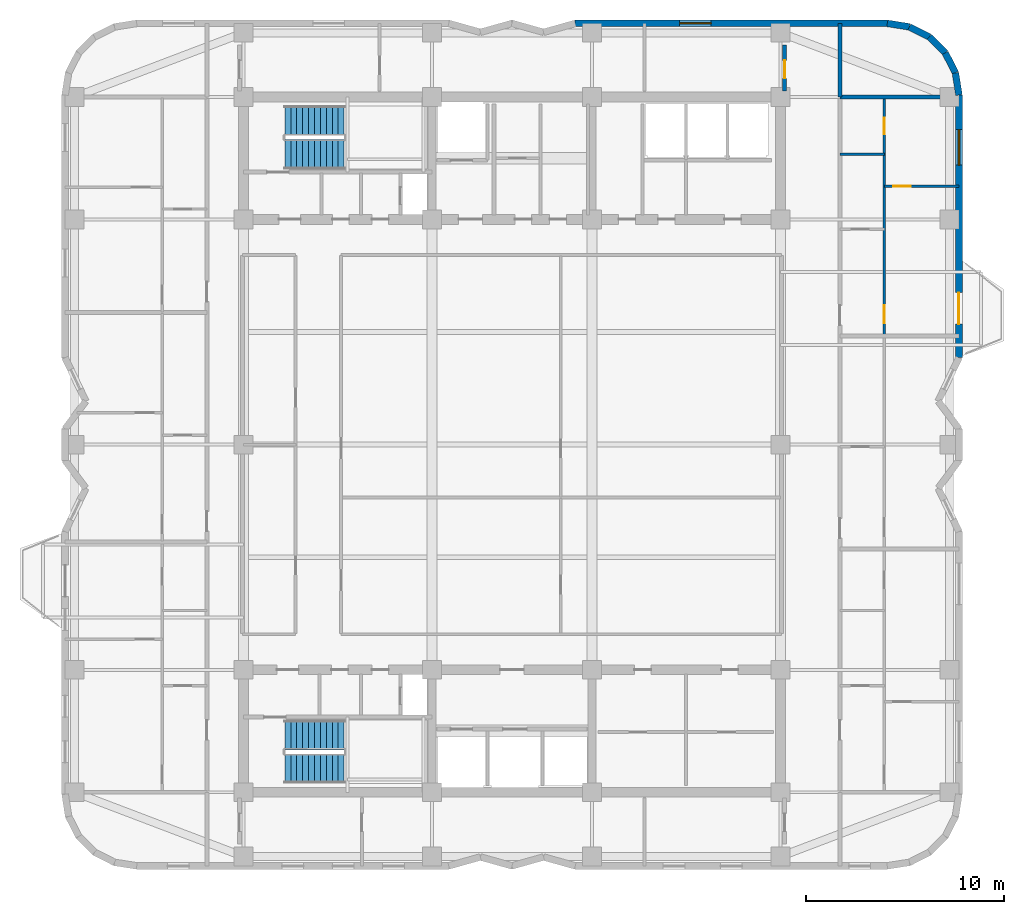
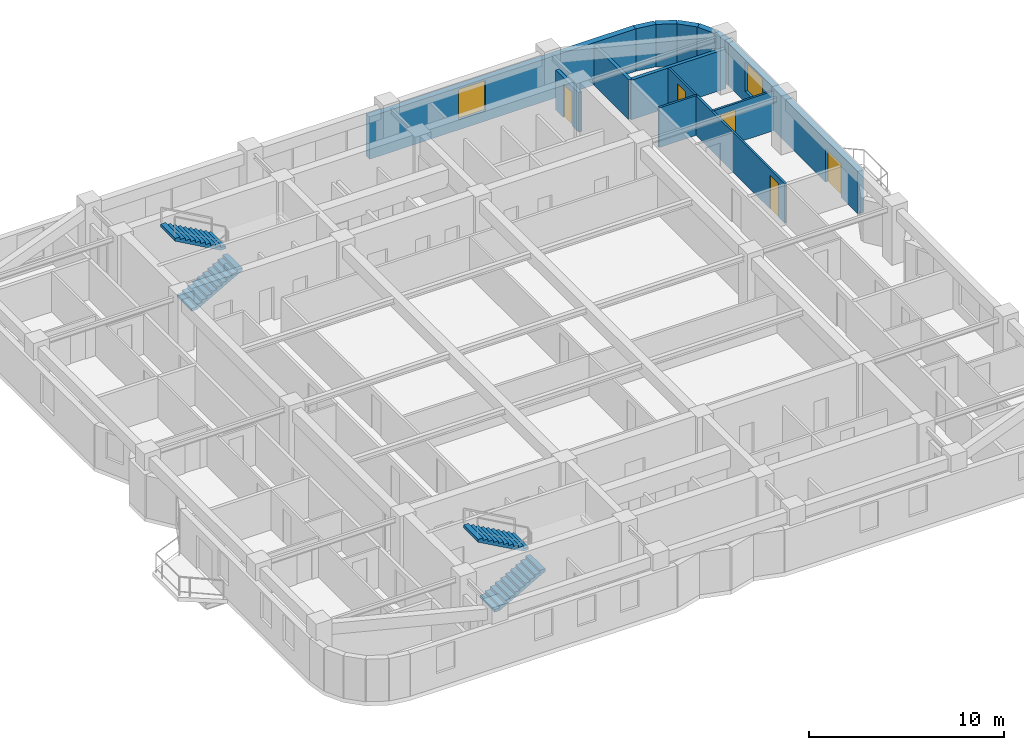
# One storey, part 7 of 9: 13 walls, 5 doors, 4 stair flights, 2 windows, 7 openings, 2 elements without a shape of their own.
"""IFC4 building model written with IfcOpenShell, lengths in metres."""

from ifc_helpers import new_model, si_unit, direction, frame, frame_2d, origin, place, context, subcontext, project, spatial, polyline, rectangle, outline, extrude, material, layer, layer_set, type_object, element, fill, aggregate, save


model = new_model("IFC4")

# Units and contexts
model_context = context("Model", 3, precision=1e-05, world=origin(), true_north=direction((0.0, 1.0)))
body_context = subcontext(model_context, "Body", "Model", "MODEL_VIEW")
ifc_project = project(units=[si_unit("LENGTHUNIT", "METRE"), si_unit("AREAUNIT", "SQUARE_METRE"), si_unit("VOLUMEUNIT", "CUBIC_METRE"), si_unit("PLANEANGLEUNIT", "RADIAN"), si_unit("MASSUNIT", "GRAM", prefix="KILO")], contexts=[model_context])

# Site, building, storey
site_placement = place(None, origin())
site = spatial("IfcSite", under=ifc_project, at=site_placement, CompositionType="ELEMENT")
building_placement = place(site_placement, origin())
building = spatial("IfcBuilding", under=site, at=building_placement, Name="Svetorya Sky Lyceum", CompositionType="ELEMENT")
storey_placement = place(building_placement, frame((0.0, 0.0, 192.199951171875)))
storey = spatial("IfcBuildingStorey", under=building, at=storey_placement, Name="L48", CompositionType="ELEMENT", Elevation=192.199951171875)

# Wall, openings, door, window
ifc_material_1 = material(Name="Putilovo limestone rainscreen on autoclaved cellular masonry", Category="masonry")
ifc_layer_1 = layer(ifc_material_1, 0.340087890625)
ifc_layer_set_1 = layer_set([ifc_layer_1], Name="Putilovo limestone rainscreen on autoclaved cellular masonry")
wall_type_1 = type_object("IfcWallType", Name="WL-EXT-340", PredefinedType="SOLIDWALL", material=ifc_layer_set_1)
wall_1_placement = place(storey_placement, frame((61.830078125, 32.60009765625, 0.0), z_axis=(0.0, 0.0, 1.0), x_axis=(0.0, 1.0, 0.0)))
wall_1 = element("IfcWall", 1, at=wall_1_placement, inside=storey, type_object=wall_type_1, Name="L48 Limestone Exterior Wall 23M", PredefinedType="SOLIDWALL", context=body_context, shape_type="SweptSolid", body=[
    extrude(rectangle(XDim=13.2998046875, YDim=0.340087890625, at=frame_2d((6.64990234375, 0.0))), origin(), (0.0, 0.0, 1.0), 2.66015625),
])
opening_1_placement = place(wall_1_placement, frame((1.699951171875, 0.0, 0.0)))
opening_1 = element("IfcOpeningElement", 2, at=opening_1_placement, cuts=wall_1, Name="Opening D-BL1", PredefinedType="OPENING", context=body_context, shape_type="SweptSolid", body=[
    extrude(rectangle(XDim=1.60009765625, YDim=2.10009765625, at=frame_2d((0.800048828125, 1.050048828125))), frame((0.0, 0.179931640625, 0.0), z_axis=(0.0, -1.0, 0.0), x_axis=(1.0, 0.0, 0.0)), (0.0, 0.0, 1.0), 0.360107421875),
])
opening_2_placement = place(wall_1_placement, frame((9.75, 0.0, 0.68994140625)))
opening_2 = element("IfcOpeningElement", 3, at=opening_2_placement, cuts=wall_1, Name="Opening W-R1", PredefinedType="OPENING", context=body_context, shape_type="SweptSolid", body=[
    extrude(rectangle(XDim=1.800048828125, YDim=1.85009765625, at=frame_2d((0.89990234375, 0.925048828125))), frame((0.0, 0.179931640625, 0.0), z_axis=(0.0, -1.0, 0.0), x_axis=(1.0, 0.0, 0.0)), (0.0, 0.0, 1.0), 0.360107421875),
])
ifc_material_2 = material(Name="Insulated glazed aluminium balcony door", Category="aluminium")
door_type_1 = type_object("IfcDoorType", Name="DR-BAL-1600", OperationType="DOUBLE_DOOR_SINGLE_SWING", PredefinedType="DOOR", material=ifc_material_2)
door_1_placement = place(opening_1_placement, origin())
door_1 = element("IfcDoor", 4, at=door_1_placement, inside=storey, type_object=door_type_1, Name="L48 Balcony BAL-E1 Door", OperationType="DOUBLE_DOOR_SINGLE_SWING", OverallHeight=2.10009765625, OverallWidth=1.60009765625, PredefinedType="DOOR", context=body_context, shape_type="SweptSolid", body=[
    extrude(rectangle(XDim=1.60009765625, YDim=2.10009765625, at=frame_2d((0.800048828125, 1.050048828125))), frame((0.0, 0.02490234375, 0.0), z_axis=(0.0, -1.0, 0.0), x_axis=(1.0, 0.0, 0.0)), (0.0, 0.0, 1.0), 0.050048828125),
])
fill(opening_1, door_1)
ifc_material_3 = material(Name="Thermally broken aluminium frame with triple low-E glazing", Category="aluminium")
window_type_1 = type_object("IfcWindowType", Name="WN-RES-180", PartitioningType="DOUBLE_PANEL_VERTICAL", PredefinedType="WINDOW", material=ifc_material_3)
window_1_placement = place(opening_2_placement, origin())
window_1 = element("IfcWindow", 5, at=window_1_placement, inside=storey, type_object=window_type_1, Name="L48 Facade Window W-R1.23M.1", OverallHeight=1.85009765625, OverallWidth=1.800048828125, PartitioningType="SINGLE_PANEL", PredefinedType="WINDOW", context=body_context, shape_type="SweptSolid", body=[
    extrude(rectangle(XDim=1.800048828125, YDim=1.85009765625, at=frame_2d((0.89990234375, 0.925048828125))), frame((0.0, 0.030029296875, 0.0), z_axis=(0.0, -1.0, 0.0), x_axis=(1.0, 0.0, 0.0)), (0.0, 0.0, 1.0), 0.06005859375),
])
fill(opening_2, window_1)

# Walls
for number, where, z_axis, x_axis, name in (
    (6, (61.830078125, 45.89990234375, 0.0), (0.0, 0.0, 1.0), (-0.156481329164, 0.987680916907, 0.0), "L48 Limestone Exterior Wall 24M"),
    (7, (61.65234375, 47.021728515625, 0.0), (0.0, 0.0, 1.0), (-0.453993402883, 0.891005044957, 0.0), "L48 Limestone Exterior Wall 25M"),
):
    element("IfcWall", number, at=place(storey_placement, frame(where, z_axis=z_axis, x_axis=x_axis)), inside=storey, type_object=wall_type_1, Name=name, PredefinedType="SOLIDWALL", context=body_context, shape_type="SweptSolid", body=[
        extrude(rectangle(XDim=1.1357421875, YDim=0.340087890625, at=frame_2d((0.56787109375, 0.0))), origin(), (0.0, 0.0, 1.0), 2.66015625),
    ])
wall_2_placement = place(storey_placement, frame((61.13671875, 48.03369140625, 0.0), z_axis=(0.0, 0.0, 1.0), x_axis=(-0.707106781187, 0.707106781187, 0.0)))
element("IfcWall", 8, at=wall_2_placement, inside=storey, type_object=wall_type_1, Name="L48 Limestone Exterior Wall 26M", PredefinedType="SOLIDWALL", context=body_context, shape_type="SweptSolid", body=[
    extrude(rectangle(XDim=1.135498046875, YDim=0.340087890625, at=frame_2d((0.56787109375, 0.0))), origin(), (0.0, 0.0, 1.0), 2.66015625),
])
for number, where, z_axis, x_axis, name in (
    (9, (60.333740234375, 48.836669921875, 0.0), (0.0, 0.0, 1.0), (-0.891005044957, 0.453993402883, 0.0), "L48 Limestone Exterior Wall 27M"),
    (10, (59.32177734375, 49.352294921875, 0.0), (0.0, 0.0, 1.0), (-0.987680916907, 0.156481329164, 0.0), "L48 Limestone Exterior Wall 28M"),
):
    element("IfcWall", number, at=place(storey_placement, frame(where, z_axis=z_axis, x_axis=x_axis)), inside=storey, type_object=wall_type_1, Name=name, PredefinedType="SOLIDWALL", context=body_context, shape_type="SweptSolid", body=[
        extrude(rectangle(XDim=1.1357421875, YDim=0.340087890625, at=frame_2d((0.56787109375, 0.0))), origin(), (0.0, 0.0, 1.0), 2.66015625),
    ])

# Wall, opening, window
wall_3_placement = place(storey_placement, frame((58.199951171875, 49.530029296875, 0.0), z_axis=(0.0, 0.0, 1.0), x_axis=(-1.0, 0.0, 0.0)))
wall_3 = element("IfcWall", 11, at=wall_3_placement, inside=storey, type_object=wall_type_1, Name="L48 Limestone Exterior Wall 29M", PredefinedType="SOLIDWALL", context=body_context, shape_type="SweptSolid", body=[
    extrude(rectangle(XDim=15.800048828125, YDim=0.340087890625, at=frame_2d((7.89990234375, 0.0))), origin(), (0.0, 0.0, 1.0), 2.66015625),
])
opening_3_placement = place(wall_3_placement, frame((8.91259765625, 0.0, 0.639892578125)))
opening_3 = element("IfcOpeningElement", 12, at=opening_3_placement, cuts=wall_3, Name="Opening W-R4", PredefinedType="OPENING", context=body_context, shape_type="SweptSolid", body=[
    extrude(rectangle(XDim=1.60009765625, YDim=1.89990234375, at=frame_2d((0.800048828125, 0.949951171875))), frame((0.0, 0.179931640625, 0.0), z_axis=(0.0, -1.0, 0.0), x_axis=(1.0, 0.0, 0.0)), (0.0, 0.0, 1.0), 0.360107421875),
])
window_type_2 = type_object("IfcWindowType", Name="WN-RES-160", PartitioningType="DOUBLE_PANEL_VERTICAL", PredefinedType="WINDOW", material=ifc_material_3)
window_2_placement = place(opening_3_placement, origin())
window_2 = element("IfcWindow", 13, at=window_2_placement, inside=storey, type_object=window_type_2, Name="L48 Facade Window W-R4.29M.1", OverallHeight=1.89990234375, OverallWidth=1.60009765625, PartitioningType="SINGLE_PANEL", PredefinedType="WINDOW", context=body_context, shape_type="SweptSolid", body=[
    extrude(rectangle(XDim=1.60009765625, YDim=1.89990234375, at=frame_2d((0.800048828125, 0.949951171875))), frame((0.0, 0.030029296875, 0.0), z_axis=(0.0, -1.0, 0.0), x_axis=(1.0, 0.0, 0.0)), (0.0, 0.0, 1.0), 0.06005859375),
])
fill(opening_3, window_2)

# Wall
ifc_material_4 = material(Name="Twin-stud galvanized framing with double fireboard", Category="gypsum")
ifc_layer_2 = layer(ifc_material_4, 0.1201171875)
ifc_layer_set_2 = layer_set([ifc_layer_2], Name="Twin-stud galvanized framing with double fireboard")
wall_type_2 = type_object("IfcWallType", Name="WL-PART-120", PredefinedType="PARTITIONING", material=ifc_layer_set_2)
wall_4_placement = place(storey_placement, frame((55.800048828125, 42.89990234375, 0.0), z_axis=(0.0, 0.0, 1.0), x_axis=(1.0, 0.0, 0.0)))
element("IfcWall", 14, at=wall_4_placement, inside=storey, type_object=wall_type_2, Name="L48 Interior Partition E3-WH2", PredefinedType="PARTITIONING", context=body_context, shape_type="SweptSolid", body=[
    extrude(rectangle(XDim=2.25, YDim=0.1201171875, at=frame_2d((1.125, 0.0))), origin(), (0.0, 0.0, 1.0), 2.489990234375),
])

# Wall, opening, door
wall_5_placement = place(storey_placement, frame((58.050048828125, 41.280029296875, 0.0), z_axis=(0.0, 0.0, 1.0), x_axis=(1.0, 0.0, 0.0)))
wall_5 = element("IfcWall", 15, at=wall_5_placement, inside=storey, type_object=wall_type_2, Name="L48 Interior Partition E3-WL1", PredefinedType="PARTITIONING", context=body_context, shape_type="SweptSolid", body=[
    extrude(rectangle(XDim=3.780029296875, YDim=0.1201171875, at=frame_2d((1.89013671875, 0.0))), origin(), (0.0, 0.0, 1.0), 2.489990234375),
])
opening_4_placement = place(wall_5_placement, frame((0.449951171875, 0.0, 0.0)))
opening_4 = element("IfcOpeningElement", 16, at=opening_4_placement, cuts=wall_5, Name="Opening D-RM1", PredefinedType="OPENING", context=body_context, shape_type="SweptSolid", body=[
    extrude(rectangle(XDim=0.89990234375, YDim=2.10009765625, at=frame_2d((0.449951171875, 1.050048828125))), frame((0.0, 0.070068359375, 0.0), z_axis=(0.0, -1.0, 0.0), x_axis=(1.0, 0.0, 0.0)), (0.0, 0.0, 1.0), 0.14013671875),
])
ifc_material_5 = material(Name="Lacquered birch veneer internal door")
door_type_2 = type_object("IfcDoorType", Name="DR-INT-900", OperationType="SINGLE_SWING_LEFT", PredefinedType="DOOR", material=ifc_material_5)
door_2_placement = place(opening_4_placement, origin())
door_2 = element("IfcDoor", 17, at=door_2_placement, inside=storey, type_object=door_type_2, Name="Apartment E3 Bedroom 1 Door", OperationType="SINGLE_SWING_RIGHT", OverallHeight=2.10009765625, OverallWidth=0.89990234375, PredefinedType="DOOR", context=body_context, shape_type="SweptSolid", body=[
    extrude(rectangle(XDim=0.89990234375, YDim=2.10009765625, at=frame_2d((0.449951171875, 1.050048828125))), frame((0.0, 0.02490234375, 0.0), z_axis=(0.0, -1.0, 0.0), x_axis=(1.0, 0.0, 0.0)), (0.0, 0.0, 1.0), 0.050048828125),
])
fill(opening_4, door_2)

# Wall, openings, doors
wall_6_placement = place(storey_placement, frame((58.050048828125, 33.739990234375, 0.0), z_axis=(0.0, 0.0, 1.0), x_axis=(0.0, 1.0, 0.0)))
wall_6 = element("IfcWall", 18, at=wall_6_placement, inside=storey, type_object=wall_type_2, Name="L48 Interior Partition E3-WV", PredefinedType="PARTITIONING", context=body_context, shape_type="SweptSolid", body=[
    extrude(rectangle(XDim=12.02001953125, YDim=0.1201171875, at=frame_2d((6.010009765625, 0.0))), origin(), (0.0, 0.0, 1.0), 2.489990234375),
])
opening_5_placement = place(wall_6_placement, frame((0.610107421875, 0.0, 0.0)))
opening_5 = element("IfcOpeningElement", 19, at=opening_5_placement, cuts=wall_6, Name="Opening D-RM1", PredefinedType="OPENING", context=body_context, shape_type="SweptSolid", body=[
    extrude(rectangle(XDim=0.89990234375, YDim=2.10009765625, at=frame_2d((0.449951171875, 1.050048828125))), frame((0.0, 0.070068359375, 0.0), z_axis=(0.0, -1.0, 0.0), x_axis=(1.0, 0.0, 0.0)), (0.0, 0.0, 1.0), 0.14013671875),
])
opening_6_placement = place(wall_6_placement, frame((10.18505859375, 0.0, 0.0)))
opening_6 = element("IfcOpeningElement", 20, at=opening_6_placement, cuts=wall_6, Name="Opening D-BT2", PredefinedType="OPENING", context=body_context, shape_type="SweptSolid", body=[
    extrude(rectangle(XDim=0.820068359375, YDim=2.080078125, at=frame_2d((0.41015625, 1.0400390625))), frame((0.0, 0.070068359375, 0.0), z_axis=(0.0, -1.0, 0.0), x_axis=(1.0, 0.0, 0.0)), (0.0, 0.0, 1.0), 0.14013671875),
])
door_3_placement = place(opening_5_placement, origin())
door_3 = element("IfcDoor", 21, at=door_3_placement, inside=storey, type_object=door_type_2, Name="Apartment E3 Living Door", OperationType="SINGLE_SWING_LEFT", OverallHeight=2.10009765625, OverallWidth=0.89990234375, PredefinedType="DOOR", context=body_context, shape_type="SweptSolid", body=[
    extrude(rectangle(XDim=0.89990234375, YDim=2.10009765625, at=frame_2d((0.449951171875, 1.050048828125))), frame((0.0, 0.02490234375, 0.0), z_axis=(0.0, -1.0, 0.0), x_axis=(1.0, 0.0, 0.0)), (0.0, 0.0, 1.0), 0.050048828125),
])
fill(opening_5, door_3)
ifc_material_6 = material(Name="Compact moisture-resistant laminate closet door")
door_type_3 = type_object("IfcDoorType", Name="DR-WET-820", OperationType="SINGLE_SWING_LEFT", PredefinedType="DOOR", material=ifc_material_6)
door_4_placement = place(opening_6_placement, origin())
door_4 = element("IfcDoor", 22, at=door_4_placement, inside=storey, type_object=door_type_3, Name="Apartment E3 Study Door", OperationType="SINGLE_SWING_RIGHT", OverallHeight=2.080078125, OverallWidth=0.820068359375, PredefinedType="DOOR", context=body_context, shape_type="SweptSolid", body=[
    extrude(rectangle(XDim=0.820068359375, YDim=2.080078125, at=frame_2d((0.41015625, 1.0400390625))), frame((0.0, 0.02490234375, 0.0), z_axis=(0.0, -1.0, 0.0), x_axis=(1.0, 0.0, 0.0)), (0.0, 0.0, 1.0), 0.050048828125),
])
fill(opening_6, door_4)

# Walls
ifc_material_7 = material(Name="Autoclaved cellular masonry blockwork with gypsum plaster", Category="masonry")
ifc_layer_3 = layer(ifc_material_7, 0.199951171875)
ifc_layer_set_3 = layer_set([ifc_layer_3], Name="Autoclaved cellular masonry blockwork with gypsum plaster")
wall_type_3 = type_object("IfcWallType", Name="WL-PART-200", PredefinedType="PARTITIONING", material=ifc_layer_set_3)
wall_7_placement = place(storey_placement, frame((55.800048828125, 45.800048828125, 0.0), z_axis=(0.0, 0.0, 1.0), x_axis=(1.0, 0.0, 0.0)))
element("IfcWall", 23, at=wall_7_placement, inside=storey, type_object=wall_type_3, Name="L48 Interior Partition E-CAP-N", PredefinedType="PARTITIONING", context=body_context, shape_type="SweptSolid", body=[
    extrude(rectangle(XDim=5.60986328125, YDim=0.199951171875, at=frame_2d((2.804931640625, 0.0))), origin(), (0.0, 0.0, 1.0), 2.489990234375),
])
wall_8_placement = place(storey_placement, frame((55.800048828125, 45.800048828125, 0.0), z_axis=(0.0, 0.0, 1.0), x_axis=(0.0, 1.0, 0.0)))
element("IfcWall", 24, at=wall_8_placement, inside=storey, type_object=wall_type_3, Name="L48 Interior Partition EC-NE-END", PredefinedType="PARTITIONING", context=body_context, shape_type="SweptSolid", body=[
    extrude(rectangle(XDim=3.72998046875, YDim=0.199951171875, at=frame_2d((1.864990234375, 0.0))), origin(), (0.0, 0.0, 1.0), 2.489990234375),
])

# Wall, opening, door
wall_9_placement = place(storey_placement, frame((53.0, 46.10009765625, 0.0), z_axis=(0.0, 0.0, 1.0), x_axis=(0.0, 1.0, 0.0)))
wall_9 = element("IfcWall", 25, at=wall_9_placement, inside=storey, type_object=wall_type_3, Name="L48 Interior Partition N-EE", PredefinedType="PARTITIONING", context=body_context, shape_type="SweptSolid", body=[
    extrude(rectangle(XDim=2.329833984375, YDim=0.199951171875, at=frame_2d((1.1650390625, 0.0))), origin(), (0.0, 0.0, 1.0), 2.489990234375),
])
opening_7_placement = place(wall_9_placement, frame((0.64990234375, 0.0, 0.0)))
opening_7 = element("IfcOpeningElement", 26, at=opening_7_placement, cuts=wall_9, Name="Opening D-RM1", PredefinedType="OPENING", context=body_context, shape_type="SweptSolid", body=[
    extrude(rectangle(XDim=0.89990234375, YDim=2.10009765625, at=frame_2d((0.449951171875, 1.050048828125))), frame((0.0, 0.10986328125, 0.0), z_axis=(0.0, -1.0, 0.0), x_axis=(1.0, 0.0, 0.0)), (0.0, 0.0, 1.0), 0.219970703125),
])
door_5_placement = place(opening_7_placement, origin())
door_5 = element("IfcDoor", 27, at=door_5_placement, inside=storey, type_object=door_type_2, Name="L48 North Meeting Door", OperationType="SINGLE_SWING_LEFT", OverallHeight=2.10009765625, OverallWidth=0.89990234375, PredefinedType="DOOR", context=body_context, shape_type="SweptSolid", body=[
    extrude(rectangle(XDim=0.89990234375, YDim=2.10009765625, at=frame_2d((0.449951171875, 1.050048828125))), frame((0.0, 0.02490234375, 0.0), z_axis=(0.0, -1.0, 0.0), x_axis=(1.0, 0.0, 0.0)), (0.0, 0.0, 1.0), 0.050048828125),
])
fill(opening_7, door_5)

# Stair, stair flights
ifc_material_8 = material(Name="Concrete C40/50", Category="concrete")
stair_type_1 = type_object("IfcStairType", Name="STR-ST-N", PredefinedType="HALF_TURN_STAIR", material=ifc_material_8)
stair_1_placement = place(storey_placement, origin())
stair_1 = element("IfcStair", 28, at=stair_1_placement, inside=storey, type_object=stair_type_1, Name="L48 North Core Smoke-Free Exit Stair N3", PredefinedType="HALF_TURN_STAIR")
stair_flight_type_1 = type_object("IfcStairFlightType", Name="SFL-ST-N", PredefinedType="STRAIGHT", material=ifc_material_8)
stair_flight_1_placement = place(storey_placement, frame((27.699951171875, 42.89990234375, 0.0), z_axis=(0.0, 0.0, 1.0), x_axis=(1.0, 0.0, 0.0)))
stair_flight_1 = element("IfcStairFlight", 29, at=stair_flight_1_placement, type_object=stair_flight_type_1, Name="ST-N flight 1", NumberOfRisers=11, NumberOfTreads=10, PredefinedType="STRAIGHT", RiserHeight=0.168181818, TreadLength=0.3, context=body_context, shape_type="SweptSolid", body=[
    extrude(outline(polyline([(0.0, 0.0), (0.0, 0.168212890625), (0.300048828125, 0.168212890625), (0.300048828125, 0.33642578125), (0.60009765625, 0.33642578125), (0.60009765625, 0.504638671875), (0.89990234375, 0.504638671875), (0.89990234375, 0.672607421875), (1.199951171875, 0.672607421875), (1.199951171875, 0.8408203125), (1.5, 0.8408203125), (1.5, 1.009033203125), (1.800048828125, 1.009033203125), (1.800048828125, 1.17724609375), (2.10009765625, 1.17724609375), (2.10009765625, 1.345458984375), (2.39990234375, 1.345458984375), (2.39990234375, 1.513671875), (2.699951171875, 1.513671875), (2.699951171875, 1.681884765625), (3.0, 1.681884765625), (3.0, 1.85009765625), (3.0, 1.510009765625), (0.306640625, 0.0), (0.0, 0.0)])), frame((0.0, 0.75, 0.0), z_axis=(0.0, -1.0, 0.0), x_axis=(1.0, 0.0, 0.0)), (0.0, 0.0, 1.0), 1.5),
])
stair_flight_2_placement = place(storey_placement, frame((30.699951171875, 44.60009765625, 1.85009765625), z_axis=(0.0, 0.0, 1.0), x_axis=(-1.0, 0.0, 0.0)))
stair_flight_2 = element("IfcStairFlight", 30, at=stair_flight_2_placement, type_object=stair_flight_type_1, Name="ST-N flight 2", NumberOfRisers=11, NumberOfTreads=10, PredefinedType="STRAIGHT", RiserHeight=0.168181818, TreadLength=0.3, context=body_context, shape_type="SweptSolid", body=[
    extrude(outline(polyline([(0.0, 0.0), (0.0, 0.168212890625), (0.300048828125, 0.168212890625), (0.300048828125, 0.33642578125), (0.60009765625, 0.33642578125), (0.60009765625, 0.504638671875), (0.89990234375, 0.504638671875), (0.89990234375, 0.672607421875), (1.199951171875, 0.672607421875), (1.199951171875, 0.8408203125), (1.5, 0.8408203125), (1.5, 1.009033203125), (1.800048828125, 1.009033203125), (1.800048828125, 1.17724609375), (2.10009765625, 1.17724609375), (2.10009765625, 1.345458984375), (2.39990234375, 1.345458984375), (2.39990234375, 1.513671875), (2.699951171875, 1.513671875), (2.699951171875, 1.681884765625), (3.0, 1.681884765625), (3.0, 1.85009765625), (3.0, 1.510009765625), (0.306640625, 0.0), (0.0, 0.0)])), frame((0.0, 0.75, 0.0), z_axis=(0.0, -1.0, 0.0), x_axis=(1.0, 0.0, 0.0)), (0.0, 0.0, 1.0), 1.5),
])
aggregate(stair_1, [stair_flight_1, stair_flight_2])

stair_type_2 = type_object("IfcStairType", Name="STR-ST-S", PredefinedType="HALF_TURN_STAIR", material=ifc_material_8)
stair_2_placement = place(storey_placement, origin())
stair_2 = element("IfcStair", 31, at=stair_2_placement, inside=storey, type_object=stair_type_2, Name="L48 South Core Smoke-Free Exit Stair N2", PredefinedType="HALF_TURN_STAIR")
stair_flight_type_2 = type_object("IfcStairFlightType", Name="SFL-ST-S", PredefinedType="STRAIGHT", material=ifc_material_8)
stair_flight_3_placement = place(storey_placement, frame((27.699951171875, 11.800048828125, 0.0), z_axis=(0.0, 0.0, 1.0), x_axis=(1.0, 0.0, 0.0)))
stair_flight_3 = element("IfcStairFlight", 32, at=stair_flight_3_placement, type_object=stair_flight_type_2, Name="ST-S flight 1", NumberOfRisers=11, NumberOfTreads=10, PredefinedType="STRAIGHT", RiserHeight=0.168181818, TreadLength=0.3, context=body_context, shape_type="SweptSolid", body=[
    extrude(outline(polyline([(0.0, 0.0), (0.0, 0.168212890625), (0.300048828125, 0.168212890625), (0.300048828125, 0.33642578125), (0.60009765625, 0.33642578125), (0.60009765625, 0.504638671875), (0.89990234375, 0.504638671875), (0.89990234375, 0.672607421875), (1.199951171875, 0.672607421875), (1.199951171875, 0.8408203125), (1.5, 0.8408203125), (1.5, 1.009033203125), (1.800048828125, 1.009033203125), (1.800048828125, 1.17724609375), (2.10009765625, 1.17724609375), (2.10009765625, 1.345458984375), (2.39990234375, 1.345458984375), (2.39990234375, 1.513671875), (2.699951171875, 1.513671875), (2.699951171875, 1.681884765625), (3.0, 1.681884765625), (3.0, 1.85009765625), (3.0, 1.510009765625), (0.306640625, 0.0), (0.0, 0.0)])), frame((0.0, 0.75, 0.0), z_axis=(0.0, -1.0, 0.0), x_axis=(1.0, 0.0, 0.0)), (0.0, 0.0, 1.0), 1.5),
])
stair_flight_4_placement = place(storey_placement, frame((30.699951171875, 13.5, 1.85009765625), z_axis=(0.0, 0.0, 1.0), x_axis=(-1.0, 0.0, 0.0)))
stair_flight_4 = element("IfcStairFlight", 33, at=stair_flight_4_placement, type_object=stair_flight_type_2, Name="ST-S flight 2", NumberOfRisers=11, NumberOfTreads=10, PredefinedType="STRAIGHT", RiserHeight=0.168181818, TreadLength=0.3, context=body_context, shape_type="SweptSolid", body=[
    extrude(outline(polyline([(0.0, 0.0), (0.0, 0.168212890625), (0.300048828125, 0.168212890625), (0.300048828125, 0.33642578125), (0.60009765625, 0.33642578125), (0.60009765625, 0.504638671875), (0.89990234375, 0.504638671875), (0.89990234375, 0.672607421875), (1.199951171875, 0.672607421875), (1.199951171875, 0.8408203125), (1.5, 0.8408203125), (1.5, 1.009033203125), (1.800048828125, 1.009033203125), (1.800048828125, 1.17724609375), (2.10009765625, 1.17724609375), (2.10009765625, 1.345458984375), (2.39990234375, 1.345458984375), (2.39990234375, 1.513671875), (2.699951171875, 1.513671875), (2.699951171875, 1.681884765625), (3.0, 1.681884765625), (3.0, 1.85009765625), (3.0, 1.510009765625), (0.306640625, 0.0), (0.0, 0.0)])), frame((0.0, 0.75, 0.0), z_axis=(0.0, -1.0, 0.0), x_axis=(1.0, 0.0, 0.0)), (0.0, 0.0, 1.0), 1.5),
])
aggregate(stair_2, [stair_flight_3, stair_flight_4])

save(model, "model.ifc")
